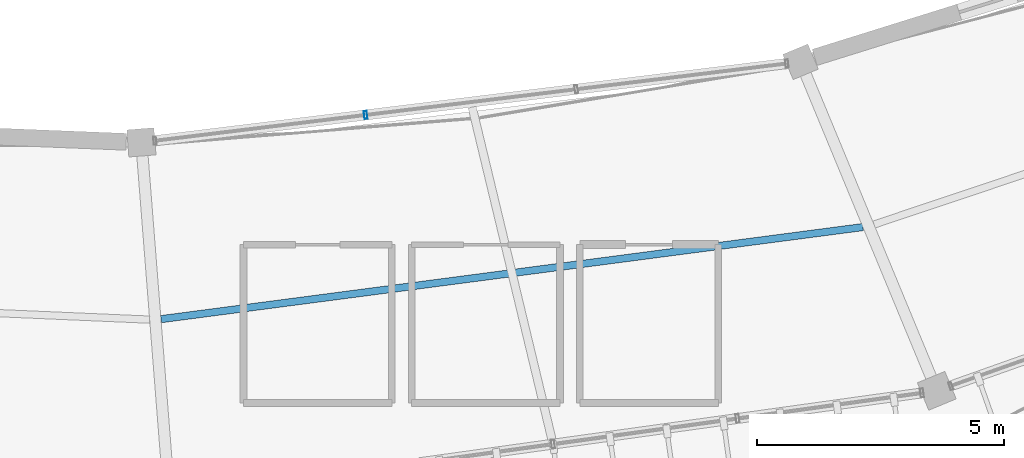
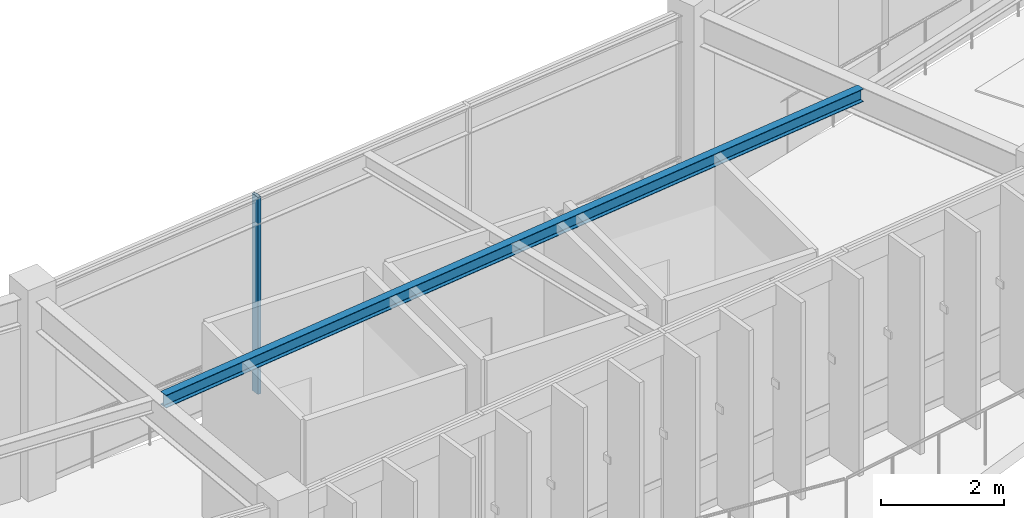
# One storey, part 30 of 83: 1 beam, 1 member, 1 element without a shape of its own.
"""IFC4 building model written with IfcOpenShell, lengths in metres."""

from ifc_helpers import new_model, si_unit, direction, frame, origin, origin_2d, place, context, subcontext, project, spatial, hollow_rectangle, i_section, extrude, material, material_profile, profile_set, type_object, element, aggregate, save


model = new_model("IFC4")

# Units and contexts
model_context = context("Model", 3, precision=1e-05, world=origin(), true_north=direction((0.0, 1.0)))
body_context = subcontext(model_context, "Body", "Model", "MODEL_VIEW")
ifc_project = project(units=[si_unit("LENGTHUNIT", "METRE"), si_unit("AREAUNIT", "SQUARE_METRE"), si_unit("VOLUMEUNIT", "CUBIC_METRE"), si_unit("PLANEANGLEUNIT", "RADIAN"), si_unit("MASSUNIT", "GRAM", prefix="KILO"), si_unit("THERMODYNAMICTEMPERATUREUNIT", "KELVIN"), si_unit("POWERUNIT", "WATT")], contexts=[model_context])

# Site, building, storey
site_placement = place(None, origin())
site = spatial("IfcSite", under=ifc_project, at=site_placement, CompositionType="ELEMENT")
building_placement = place(site_placement, origin())
building = spatial("IfcBuilding", under=site, at=building_placement, Name="Darbajah Civic Hall", CompositionType="ELEMENT")
storey_placement = place(building_placement, frame((0.0, 0.0, 18.0)))
storey = spatial("IfcBuildingStorey", under=building, at=storey_placement, Name="L04", CompositionType="ELEMENT", Elevation=18.0)

# Curtain wall, member
ifc_material_1 = material(Name="Anodised Bronze Aluminium and Low-E Glazing", Category="aluminium")
curtain_wall_type = type_object("IfcCurtainWallType", Name="Unitised Curtain Wall CW-73 12900x3900", PredefinedType="USERDEFINED", material=ifc_material_1)
curtain_wall_placement = place(storey_placement, origin())
curtain_wall = element("IfcCurtainWall", 1, at=curtain_wall_placement, inside=storey, type_object=curtain_wall_type, Name="L04 unitised curtain wall CW-V1I-L04-15", ObjectType="UNITISED CURTAIN WALL", PredefinedType="USERDEFINED")
ifc_material_2 = material(Name="Anodised Bronze Aluminium", Category="aluminium")
ifc_material_profile_1 = material_profile(ifc_material_2, hollow_rectangle(XDim=0.06005859375, YDim=0.159912109375, WallThickness=0.00341796875, at=origin_2d()), Name="ALU MULLION 60x160")
ifc_profile_set_1 = profile_set([ifc_material_profile_1], Name="Anodised Bronze Aluminium")
member_type = type_object("IfcMemberType", Name="ALU MULLION 60x160", PredefinedType="MULLION", material=ifc_profile_set_1)
member_placement = place(storey_placement, frame((97.06982421875, 68.122802734375, 0.0), z_axis=(0.0, 0.0, 1.0), x_axis=(0.992609826221, 0.121349630774, 0.0)))
member = element("IfcMember", 2, at=member_placement, type_object=member_type, Name="CW-V1I-L04-15 mullion 2", PredefinedType="MULLION", context=body_context, shape_type="SweptSolid", body=[
    extrude(hollow_rectangle(XDim=0.06005859375, YDim=0.159912109375, WallThickness=0.00341796875, at=origin_2d()), origin(), (0.0, 0.0, 1.0), 3.919921875),
])
aggregate(curtain_wall, [member])

# Beam
ifc_material_3 = material(Name="Steel S355JR", Category="steel")
ifc_material_profile_2 = material_profile(ifc_material_3, i_section(OverallWidth=0.146484375, OverallDepth=0.256103515625, WebThickness=0.00634765625, FlangeThickness=0.010986328125, FilletRadius=0.007568359375, at=origin_2d()), Name="UB 254x146x37")
ifc_profile_set_2 = profile_set([ifc_material_profile_2], Name="Steel S355JR")
beam_type = type_object("IfcBeamType", Name="UB 254x146x37", PredefinedType="JOIST", material=ifc_profile_set_2)
beam_placement = place(storey_placement, frame((92.93408203125, 63.994873046875, 3.7919921875), z_axis=(0.991504446027, 0.130072800801, 0.0), x_axis=(-0.130072800801, 0.991504446027, 0.0)))
element("IfcBeam", 3, at=beam_placement, inside=storey, type_object=beam_type, Name="L04 beam SJ-254", PredefinedType="JOIST", context=body_context, shape_type="SweptSolid", body=[
    extrude(i_section(OverallWidth=0.146484375, OverallDepth=0.256103515625, WebThickness=0.00634765625, FlangeThickness=0.010986328125, FilletRadius=0.007568359375, at=origin_2d()), origin(), (0.0, 0.0, 1.0), 14.311767578125),
])

save(model, "model.ifc")
